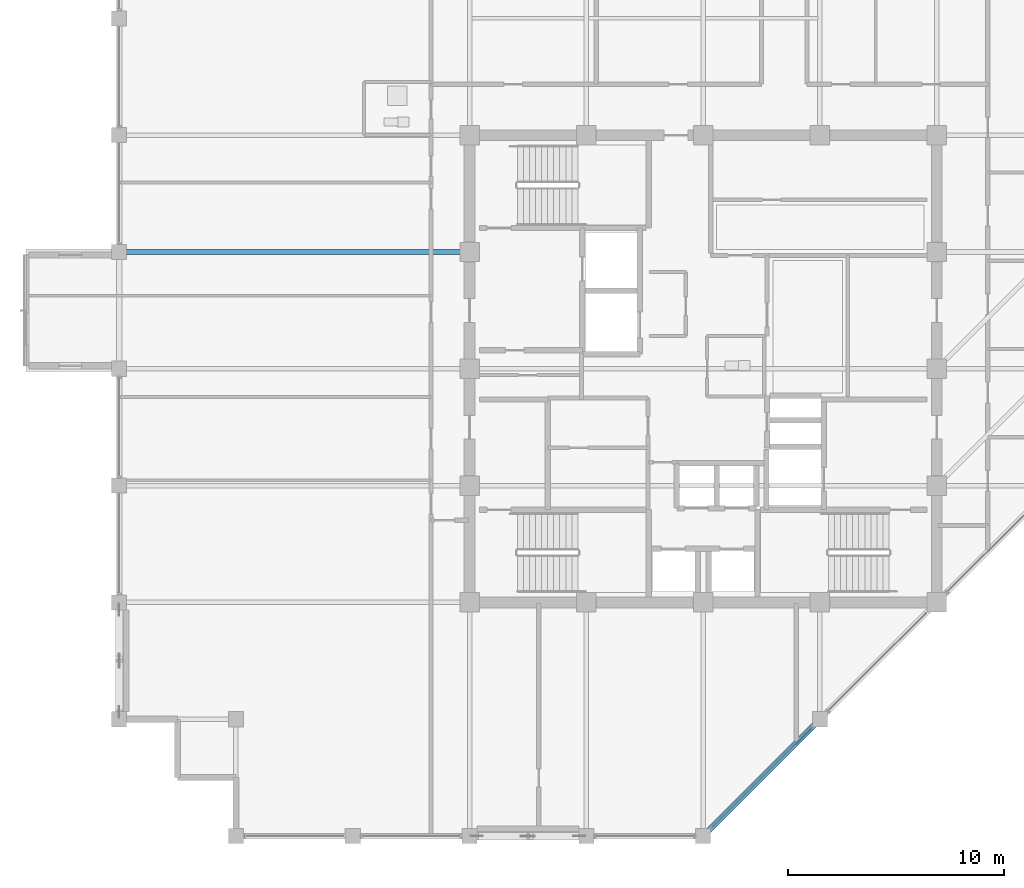
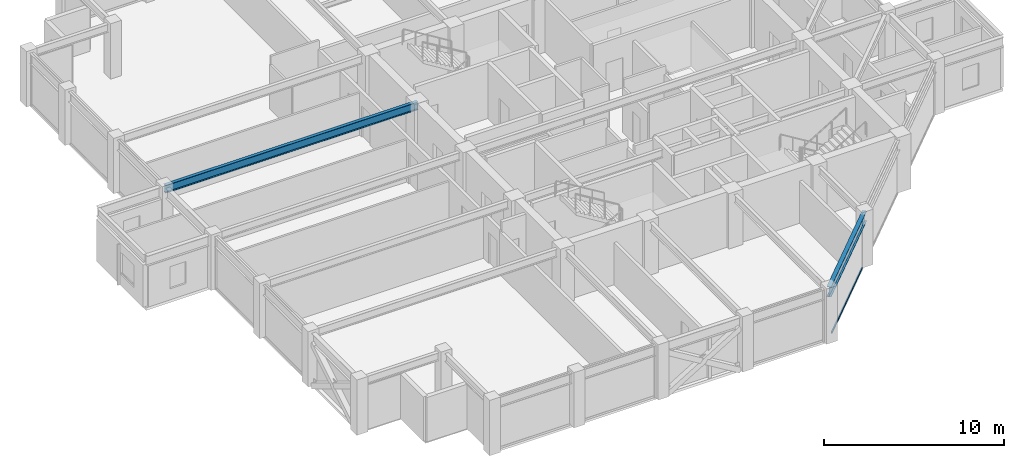
# One storey, part 8 of 31: 2 beams, 1 member, 1 element without a shape of its own.
"""IFC4 building model written with IfcOpenShell, lengths in metres."""

import ifcopenshell
import ifcopenshell.guid

model = None  # the IFC model being written
_history = None  # IfcOwnerHistory: only IFC2X3 demands one
_inside = {}  # id of a spatial element -> (the spatial element, [elements in it])
_under = {}  # id of a project, library or spatial element -> (it, [spatial elements below it])
_declared = {}  # id of a project -> (the project, [libraries it declares])
_typed = {}  # id of a type object -> (the type object, [elements of that type])
_made_of = {}  # id of a material, layer set ... -> (it, [elements and type objects made of it])


def new_model(schema):
    """Start an empty IFC model of exactly this schema.

    Asked for "IFC4X3", IfcOpenShell would pick the latest addendum, in which some entities
    have other attributes; the version numbers below select the first issue.
    IFC2X3 requires an IfcOwnerHistory on every rooted entity: one is made here for all.
    """
    global model, _history
    if schema == "IFC4X3":
        model = ifcopenshell.file(schema_version=(4, 3, 0, 0))
    else:
        model = ifcopenshell.file(schema=schema)
    _inside.clear()
    _under.clear()
    _declared.clear()
    _typed.clear()
    _made_of.clear()
    _history = None
    if model.schema == "IFC2X3":
        org = make("IfcOrganization", Name="unknown")
        user = make(
            "IfcPersonAndOrganization",
            ThePerson=make("IfcPerson", FamilyName="unknown"),
            TheOrganization=org,
        )
        app = make(
            "IfcApplication",
            ApplicationDeveloper=org,
            Version="unknown",
            ApplicationFullName="unknown",
            ApplicationIdentifier="unknown",
        )
        _history = make(
            "IfcOwnerHistory",
            OwningUser=user,
            OwningApplication=app,
            ChangeAction="ADDED",
            CreationDate=0,
        )
    return model


def make(cls, **values):
    """One entity of the class cls with the attributes given. An attribute that is None is left unset."""
    return model.create_entity(
        cls, **{name: value for name, value in values.items() if value is not None}
    )


def rooted(cls, **values):
    """An entity with a GlobalId (a new one), such as an element, a storey or a relation."""
    return make(cls, GlobalId=ifcopenshell.guid.new(), OwnerHistory=_history, **values)


def si_unit(unit_type, name, prefix=None):
    """IfcSIUnit, for example si_unit("LENGTHUNIT", "METRE", prefix="MILLI")."""
    return make("IfcSIUnit", UnitType=unit_type, Prefix=prefix, Name=name)


def assignment(units):
    """IfcUnitAssignment: the units of a project."""
    return None if units is None else make("IfcUnitAssignment", Units=units)


def point(xyz):
    """IfcCartesianPoint."""
    return None if xyz is None else make("IfcCartesianPoint", Coordinates=xyz)


def direction(xyz):
    """IfcDirection."""
    return None if xyz is None else make("IfcDirection", DirectionRatios=xyz)


def frame(location, z_axis=None, x_axis=None):
    """IfcAxis2Placement3D, a coordinate frame: its origin and axes. An axis left out is left unset."""
    return make(
        "IfcAxis2Placement3D",
        Location=point(location),
        Axis=direction(z_axis),
        RefDirection=direction(x_axis),
    )


def frame_2d(location, x_axis=None):
    """IfcAxis2Placement2D, a coordinate frame in the plane: its origin and x axis."""
    return make(
        "IfcAxis2Placement2D", Location=point(location), RefDirection=direction(x_axis)
    )


def origin():
    """The frame at (0, 0, 0) with its axes left unset."""
    return frame((0.0, 0.0, 0.0))


def origin_2d():
    """The frame at (0, 0) in the plane with its x axis left unset."""
    return frame_2d((0.0, 0.0))


def place(relative_to, where):
    """IfcLocalPlacement: puts the frame where relative to a parent placement (None: the world)."""
    return make(
        "IfcLocalPlacement", PlacementRelTo=relative_to, RelativePlacement=where
    )


def context(
    kind, dimensions, precision=None, world=None, true_north=None, identifier=None
):
    """IfcGeometricRepresentationContext, for example the 3D "Model" context."""
    return make(
        "IfcGeometricRepresentationContext",
        ContextIdentifier=identifier,
        ContextType=kind,
        CoordinateSpaceDimension=dimensions,
        Precision=precision,
        WorldCoordinateSystem=world,
        TrueNorth=true_north,
    )


def subcontext(parent, identifier, kind, view, scale=None):
    """IfcGeometricRepresentationSubContext, for example "Body" below "Model"."""
    return make(
        "IfcGeometricRepresentationSubContext",
        ContextIdentifier=identifier,
        ContextType=kind,
        ParentContext=parent,
        TargetScale=scale,
        TargetView=view,
    )


def project(units=None, contexts=None):
    """IfcProject with its units and contexts."""
    return rooted(
        "IfcProject",
        Name="project",
        RepresentationContexts=contexts,
        UnitsInContext=assignment(units),
    )


def spatial(cls, under=None, at=None, **own):
    """A site, building, storey or space (cls), placed at a placement, below another one or the project."""
    s = rooted(cls, ObjectPlacement=at, **own)
    if under is not None:
        _under.setdefault(under.id(), (under, []))[1].append(s)
    return s


def profile(cls, at=None, kind="AREA", **sizes):
    """A parametric profile (cls). Its sizes go by their IFC names, for example OverallWidth=200.0."""
    return make(cls, ProfileType=kind, Position=at, **sizes)


def hollow_rectangle(**sizes):
    """IfcRectangleHollowProfileDef."""
    return profile("IfcRectangleHollowProfileDef", **sizes)


def i_section(**sizes):
    """IfcIShapeProfileDef."""
    return profile("IfcIShapeProfileDef", **sizes)


def extrude(swept, where, along, depth):
    """IfcExtrudedAreaSolid: the profile swept, set in the frame where, extruded along a direction by depth."""
    return make(
        "IfcExtrudedAreaSolid",
        SweptArea=swept,
        Position=where,
        ExtrudedDirection=direction(along),
        Depth=depth,
    )


def shape(context_of_items, identifier, shape_type, items):
    """IfcShapeRepresentation: the items that make up one representation, for example the "Body"."""
    return make(
        "IfcShapeRepresentation",
        ContextOfItems=context_of_items,
        RepresentationIdentifier=identifier,
        RepresentationType=shape_type,
        Items=items,
    )


def material(Name=None, Category=None):
    """IfcMaterial."""
    return make("IfcMaterial", Name=Name, Category=Category)


def layer(
    of_material, thickness, ventilated=None, Name=None, Category=None, Priority=None
):
    """IfcMaterialLayer: one layer of a wall or slab, of a material (None: an air gap)."""
    return make(
        "IfcMaterialLayer",
        Material=of_material,
        LayerThickness=thickness,
        IsVentilated=ventilated,
        Name=Name,
        Category=Category,
        Priority=Priority,
    )


def layer_set(layers, Name=None):
    """IfcMaterialLayerSet."""
    return make("IfcMaterialLayerSet", MaterialLayers=layers, LayerSetName=Name)


def material_profile(
    of_material, cross_section, Name=None, Category=None, Priority=None
):
    """IfcMaterialProfile: a cross section and its material."""
    return make(
        "IfcMaterialProfile",
        Name=Name,
        Material=of_material,
        Profile=cross_section,
        Priority=Priority,
        Category=Category,
    )


def profile_set(profiles, Name=None, composite=None):
    """IfcMaterialProfileSet."""
    return make(
        "IfcMaterialProfileSet",
        Name=Name,
        MaterialProfiles=profiles,
        CompositeProfile=composite,
    )


def made_of(thing, what):
    """Note that an element or type object is made of a material, layer set ...; save() writes the relation."""
    if what is not None:
        _made_of.setdefault(what.id(), (what, []))[1].append(thing)
    return thing


def type_object(cls, material=None, **own):
    """A type object (cls), such as IfcWallType, which elements share."""
    return made_of(rooted(cls, **own), material)


def element(
    cls,
    number,
    at=None,
    inside=None,
    cuts=None,
    type_object=None,
    material=None,
    context=None,
    identifier="Body",
    shape_type=None,
    held_by="IfcProductDefinitionShape",
    body=None,
    shapes=None,
    **own,
):
    """One element of the class cls, such as IfcWall. Its Tag is "e" and its number.

    at: its placement. inside: the storey or other place that contains it. cuts: it is an
    opening in that element (IfcRelVoidsElement). A single representation is given by context,
    identifier, shape_type and body (its items); several are given by shapes. held_by: the class
    of the entity that holds the representations. save() writes the other relations.
    """
    e = rooted(cls, Tag="e%d" % number, ObjectPlacement=at, **own)
    if body is not None:
        shapes = [shape(context, identifier, shape_type, body)]
    if shapes is not None:
        e.Representation = make(held_by, Representations=shapes)
    if inside is not None:
        _inside.setdefault(inside.id(), (inside, []))[1].append(e)
    if cuts is not None:
        rooted(
            "IfcRelVoidsElement", RelatingBuildingElement=cuts, RelatedOpeningElement=e
        )
    if type_object is not None:
        _typed.setdefault(type_object.id(), (type_object, []))[1].append(e)
    return made_of(e, material)


def aggregate(whole, parts):
    """IfcRelAggregates: a whole, such as a stair, and the parts it consists of."""
    return rooted("IfcRelAggregates", RelatingObject=whole, RelatedObjects=parts)


def save(model, path):
    """Write the relations noted so far, then the file.

    IfcRelAggregates (storeys below a building ...), IfcRelContainedInSpatialStructure (elements
    in a storey), IfcRelDefinesByType, IfcRelAssociatesMaterial and IfcRelDeclares: one each for
    every whole, place, type object, material and project.
    """
    for whole, parts in _under.values():
        aggregate(whole, parts)
    for where, things in _inside.values():
        rooted(
            "IfcRelContainedInSpatialStructure",
            RelatedElements=things,
            RelatingStructure=where,
        )
    for kind, things in _typed.values():
        rooted("IfcRelDefinesByType", RelatedObjects=things, RelatingType=kind)
    for what, things in _made_of.values():
        rooted("IfcRelAssociatesMaterial", RelatedObjects=things, RelatingMaterial=what)
    for by, libraries in _declared.values():
        rooted("IfcRelDeclares", RelatingContext=by, RelatedDefinitions=libraries)
    model.write(path)


model = new_model("IFC4")

# Units and contexts
model_context = context("Model", 3, precision=1e-05, world=origin(), true_north=direction((0.0, 1.0)))
body_context = subcontext(model_context, "Body", "Model", "MODEL_VIEW")
ifc_project = project(units=[si_unit("LENGTHUNIT", "METRE"), si_unit("AREAUNIT", "SQUARE_METRE"), si_unit("VOLUMEUNIT", "CUBIC_METRE"), si_unit("PLANEANGLEUNIT", "RADIAN"), si_unit("MASSUNIT", "GRAM", prefix="KILO")], contexts=[model_context])

# Site, building, storey
site_placement = place(None, origin())
site = spatial("IfcSite", under=ifc_project, at=site_placement, CompositionType="ELEMENT")
building_placement = place(site_placement, origin())
building = spatial("IfcBuilding", under=site, at=building_placement, Name="Surkhivell Harbour Commons", CompositionType="ELEMENT")
storey_placement = place(building_placement, frame((0.0, 0.0, 318.75)))
storey = spatial("IfcBuildingStorey", under=building, at=storey_placement, Name="L83", CompositionType="ELEMENT", Elevation=318.75)

# Beams
ifc_material_1 = material(Name="Steel S355", Category="steel")
ifc_material_profile_1 = material_profile(ifc_material_1, i_section(OverallWidth=0.2099609375, OverallDepth=0.537109375, WebThickness=0.0107421875, FlangeThickness=0.017333984375, at=origin_2d()), Name="UB533x210x101")
ifc_profile_set_1 = profile_set([ifc_material_profile_1], Name="Steel S355")
beam_type_1 = type_object("IfcBeamType", Name="BM-GRD-533B", PredefinedType="BEAM", material=ifc_profile_set_1)
beam_1_placement = place(storey_placement, frame((-27.0, 5.39990234375, 3.301513671875), z_axis=(1.0, 0.0, 0.0), x_axis=(0.0, 1.0, 0.0)))
element("IfcBeam", 1, at=beam_1_placement, inside=storey, type_object=beam_type_1, Name="L83 Cantilever Back-Span Girder (-27.0,5.4)", PredefinedType="BEAM", context=body_context, shape_type="SweptSolid", body=[
    extrude(i_section(OverallWidth=0.2099609375, OverallDepth=0.537109375, WebThickness=0.0107421875, FlangeThickness=0.017333984375, at=origin_2d()), origin(), (0.0, 0.0, 1.0), 16.199951171875),
])
ifc_material_profile_2 = material_profile(ifc_material_1, i_section(OverallWidth=0.256103515625, OverallDepth=0.693115234375, WebThickness=0.014404296875, FlangeThickness=0.023681640625, at=origin_2d()), Name="UB686x254x170")
ifc_profile_set_2 = profile_set([ifc_material_profile_2], Name="Steel S355")
beam_type_2 = type_object("IfcBeamType", Name="BM-SPN-686", PredefinedType="SPANDREL", material=ifc_profile_set_2)
beam_2_placement = place(storey_placement, frame((0.0, -21.60009765625, 3.223388671875), z_axis=(0.707090796496, 0.707122765516, 0.0), x_axis=(-0.707122765516, 0.707090796496, 0.0)))
element("IfcBeam", 2, at=beam_2_placement, inside=storey, type_object=beam_type_2, Name="L83 Tube Spandrel (-0.0,-21.6)", PredefinedType="SPANDREL", context=body_context, shape_type="SweptSolid", body=[
    extrude(i_section(OverallWidth=0.256103515625, OverallDepth=0.693115234375, WebThickness=0.014404296875, FlangeThickness=0.023681640625, at=origin_2d()), origin(), (0.0, 0.0, 1.0), 7.63671875),
])

# Curtain wall, member
ifc_material_2 = material(Name="Anodised pale-metal aluminium and insulated glazing", Category="aluminium")
ifc_layer = layer(ifc_material_2, 0.175048828125)
ifc_layer_set = layer_set([ifc_layer], Name="Anodised pale-metal aluminium and insulated glazing")
curtain_wall_type = type_object("IfcCurtainWallType", Name="CW-SYS-Z4", PredefinedType="NOTDEFINED", material=ifc_layer_set)
curtain_wall_placement = place(storey_placement, origin())
curtain_wall = element("IfcCurtainWall", 3, at=curtain_wall_placement, inside=storey, type_object=curtain_wall_type, Name="L83 Curtain Wall CW-L83-E01", PredefinedType="NOTDEFINED")
ifc_material_3 = material(Name="Champagne anodised aluminium alloy 6063-T6", Category="aluminium")
ifc_material_profile_3 = material_profile(ifc_material_3, hollow_rectangle(XDim=0.070068359375, YDim=0.1298828125, WallThickness=0.00341796875, at=origin_2d()), Name="ALU-TRAN-70x130")
ifc_profile_set_3 = profile_set([ifc_material_profile_3], Name="Champagne anodised aluminium alloy 6063-T6")
member_type = type_object("IfcMemberType", Name="CWT-130", PredefinedType="USERDEFINED", material=ifc_profile_set_3)
member_placement = place(storey_placement, frame((0.404541015625, -21.1953125, 0.06494140625), z_axis=(0.707125583467, 0.707087978406, 0.0), x_axis=(-0.707087978406, 0.707125583467, 0.0)))
member = element("IfcMember", 4, at=member_placement, type_object=member_type, Name="CW-Z4 transom 1.1", ObjectType="TRANSOM", PredefinedType="USERDEFINED", context=body_context, shape_type="SweptSolid", body=[
    extrude(hollow_rectangle(XDim=0.070068359375, YDim=0.1298828125, WallThickness=0.00341796875, at=origin_2d()), origin(), (0.0, 0.0, 1.0), 6.4921875),
])
aggregate(curtain_wall, [member])

save(model, "model.ifc")
